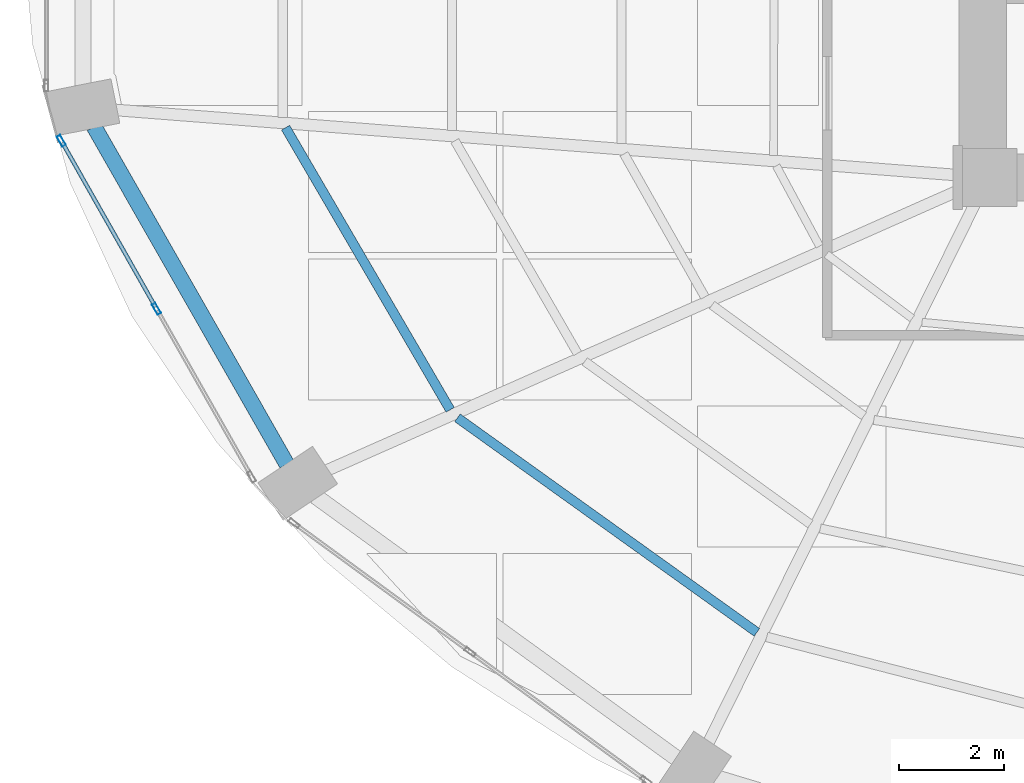
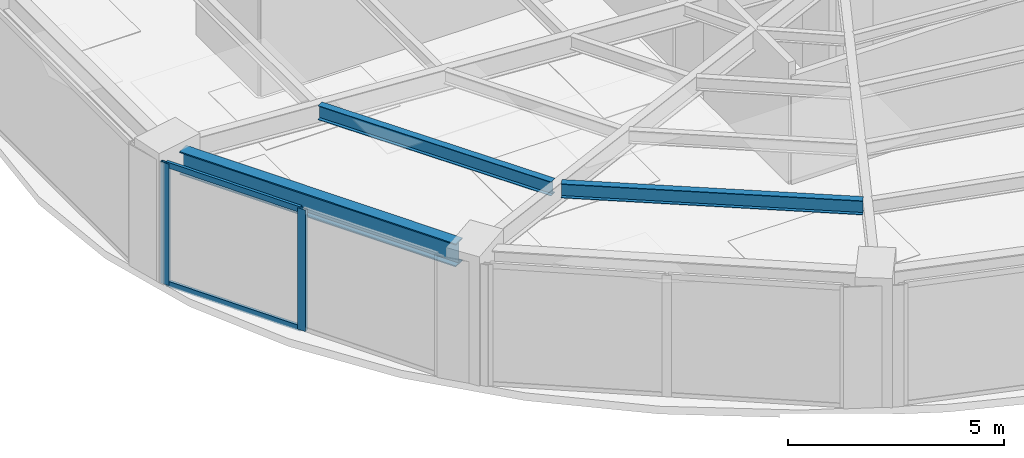
# One storey, part 3 of 24: 4 members, 3 beams, 1 element without a shape of its own.
"""IFC4 building model written with IfcOpenShell, lengths in metres."""

from ifc_helpers import new_model, si_unit, direction, frame, origin, origin_2d, place, context, subcontext, project, spatial, hollow_rectangle, i_section, extrude, material, layer, layer_set, material_profile, profile_set, type_object, element, aggregate, save


model = new_model("IFC4")

# Units and contexts
model_context = context("Model", 3, precision=1e-05, world=origin(), true_north=direction((0.0, 1.0)))
body_context = subcontext(model_context, "Body", "Model", "MODEL_VIEW")
ifc_project = project(units=[si_unit("LENGTHUNIT", "METRE"), si_unit("AREAUNIT", "SQUARE_METRE"), si_unit("VOLUMEUNIT", "CUBIC_METRE"), si_unit("PLANEANGLEUNIT", "RADIAN"), si_unit("MASSUNIT", "GRAM", prefix="KILO")], contexts=[model_context])

# Site, building, storey
site_placement = place(None, origin())
site = spatial("IfcSite", under=ifc_project, at=site_placement, CompositionType="ELEMENT")
building_placement = place(site_placement, origin())
building = spatial("IfcBuilding", under=site, at=building_placement, Name="Lazwardi Medical Tower", CompositionType="ELEMENT")
storey_placement = place(building_placement, frame((0.0, 0.0, 54.384033203125)))
storey = spatial("IfcBuildingStorey", under=building, at=storey_placement, Name="L13", CompositionType="ELEMENT", Elevation=54.384033203125)

# Beams
ifc_material_1 = material(Name="Steel S355", Category="steel")
ifc_material_profile_1 = material_profile(ifc_material_1, i_section(OverallWidth=0.300048828125, OverallDepth=0.64990234375, WebThickness=0.01611328125, FlangeThickness=0.031005859375, at=origin_2d()), Name="HEB 650")
ifc_profile_set_1 = profile_set([ifc_material_profile_1], Name="Steel S355")
beam_type_1 = type_object("IfcBeamType", Name="BM-RB-Z1", PredefinedType="BEAM", material=ifc_profile_set_1)
beam_1_placement = place(storey_placement, frame((9.408203125, 21.36767578125, 3.10302734375), z_axis=(0.49581512241, -0.868428099724, 0.0), x_axis=(0.868428099724, 0.49581512241, 0.0)))
element("IfcBeam", 1, at=beam_1_placement, inside=storey, type_object=beam_type_1, Name="Ring beam RB-02 B13 L13", PredefinedType="BEAM", context=body_context, shape_type="SweptSolid", body=[
    extrude(i_section(OverallWidth=0.300048828125, OverallDepth=0.64990234375, WebThickness=0.01611328125, FlangeThickness=0.031005859375, at=origin_2d()), origin(), (0.0, 0.0, 1.0), 7.389404296875),
])
ifc_material_profile_2 = material_profile(ifc_material_1, i_section(OverallWidth=0.179931640625, OverallDepth=0.39990234375, WebThickness=0.008544921875, FlangeThickness=0.013427734375, at=origin_2d()), Name="IPE 400")
ifc_profile_set_2 = profile_set([ifc_material_profile_2], Name="Steel S355")
beam_type_2 = type_object("IfcBeamType", Name="BM-SJ-01", PredefinedType="JOIST", material=ifc_profile_set_2)
beam_2_placement = place(storey_placement, frame((13.048828125, 21.34765625, 3.22802734375), z_axis=(0.503846579557, -0.863793160582, 0.0), x_axis=(0.863793160582, 0.503846579557, 0.0)))
element("IfcBeam", 2, at=beam_2_placement, inside=storey, type_object=beam_type_2, Name="Secondary joist SJ-01 R1 B13 L13", PredefinedType="JOIST", context=body_context, shape_type="SweptSolid", body=[
    extrude(i_section(OverallWidth=0.179931640625, OverallDepth=0.39990234375, WebThickness=0.008544921875, FlangeThickness=0.013427734375, at=origin_2d()), origin(), (0.0, 0.0, 1.0), 6.20947265625),
])
beam_3_placement = place(storey_placement, frame((16.31591796875, 15.83203125, 3.22802734375), z_axis=(0.812901036873, -0.582401840872, 0.0), x_axis=(0.582401840872, 0.812901036873, 0.0)))
element("IfcBeam", 3, at=beam_3_placement, inside=storey, type_object=beam_type_2, Name="Secondary joist SJ-01 R1 B14 L13", PredefinedType="JOIST", context=body_context, shape_type="SweptSolid", body=[
    extrude(i_section(OverallWidth=0.179931640625, OverallDepth=0.39990234375, WebThickness=0.008544921875, FlangeThickness=0.013427734375, at=origin_2d()), origin(), (0.0, 0.0, 1.0), 7.002197265625),
])

# Curtain wall, members
ifc_material_2 = material(Name="Anodised bronze aluminium and solar control glazing", Category="aluminium")
ifc_layer = layer(ifc_material_2, 0.199951171875)
ifc_layer_set = layer_set([ifc_layer], Name="Anodised bronze aluminium and solar control glazing")
curtain_wall_type = type_object("IfcCurtainWallType", Name="CW-SYS-02", PredefinedType="NOTDEFINED", material=ifc_layer_set)
curtain_wall_placement = place(storey_placement, origin())
curtain_wall = element("IfcCurtainWall", 4, at=curtain_wall_placement, inside=storey, type_object=curtain_wall_type, Name="L13 Unitised bronze curtain wall CW-02", PredefinedType="NOTDEFINED")
ifc_material_3 = material(Name="Anodised bronze aluminium", Category="aluminium")
ifc_material_profile_3 = material_profile(ifc_material_3, hollow_rectangle(XDim=0.074951171875, YDim=0.219970703125, WallThickness=0.00390625, at=origin_2d()), Name="ALU-MULLION 220x75x4")
ifc_profile_set_3 = profile_set([ifc_material_profile_3], Name="Anodised bronze aluminium")
member_type_1 = type_object("IfcMemberType", Name="CW-MUL-01", PredefinedType="MULLION", material=ifc_profile_set_3)
member_1_placement = place(storey_placement, frame((8.785888671875, 21.09765625, 0.0), z_axis=(0.0, 0.0, 1.0), x_axis=(0.870111838823, 0.492854327303, 0.0)))
member_1 = element("IfcMember", 5, at=member_1_placement, type_object=member_type_1, Name="CW-02 mullion 1", PredefinedType="MULLION", context=body_context, shape_type="SweptSolid", body=[
    extrude(hollow_rectangle(XDim=0.074951171875, YDim=0.219970703125, WallThickness=0.00390625, at=origin_2d()), origin(), (0.0, 0.0, 1.0), 3.427978515625),
])
member_2_placement = place(storey_placement, frame((10.5947265625, 17.904541015625, 0.0), z_axis=(0.0, 0.0, 1.0), x_axis=(0.870111838823, 0.492854327303, 0.0)))
member_2 = element("IfcMember", 6, at=member_2_placement, type_object=member_type_1, Name="CW-02 mullion 2", PredefinedType="MULLION", context=body_context, shape_type="SweptSolid", body=[
    extrude(hollow_rectangle(XDim=0.074951171875, YDim=0.219970703125, WallThickness=0.00390625, at=origin_2d()), origin(), (0.0, 0.0, 1.0), 3.427978515625),
])
ifc_material_profile_4 = material_profile(ifc_material_3, hollow_rectangle(XDim=0.074951171875, YDim=0.159912109375, WallThickness=0.00390625, at=origin_2d()), Name="ALU-TRANSOM 160x75x4")
ifc_profile_set_4 = profile_set([ifc_material_profile_4], Name="Anodised bronze aluminium")
member_type_2 = type_object("IfcMemberType", Name="CW-TRN-01", PredefinedType="USERDEFINED", material=ifc_profile_set_4)
member_3_placement = place(storey_placement, frame((8.804443359375, 21.06494140625, 0.037353515625), z_axis=(0.492880614687, -0.870096948429, 0.0), x_axis=(0.870096948429, 0.492880614687, 0.0)))
member_3 = element("IfcMember", 7, at=member_3_placement, type_object=member_type_2, Name="CW-02 transom 1.1", ObjectType="TRANSOM", PredefinedType="USERDEFINED", context=body_context, shape_type="SweptSolid", body=[
    extrude(hollow_rectangle(XDim=0.074951171875, YDim=0.159912109375, WallThickness=0.00390625, at=origin_2d()), origin(), (0.0, 0.0, 1.0), 3.5947265625),
])
member_4_placement = place(storey_placement, frame((8.804443359375, 21.06494140625, 3.390380859375), z_axis=(0.492880614687, -0.870096948429, 0.0), x_axis=(0.870096948429, 0.492880614687, 0.0)))
member_4 = element("IfcMember", 8, at=member_4_placement, type_object=member_type_2, Name="CW-02 transom 1.2", ObjectType="TRANSOM", PredefinedType="USERDEFINED", context=body_context, shape_type="SweptSolid", body=[
    extrude(hollow_rectangle(XDim=0.074951171875, YDim=0.159912109375, WallThickness=0.00390625, at=origin_2d()), origin(), (0.0, 0.0, 1.0), 3.5947265625),
])
aggregate(curtain_wall, [member_1, member_2, member_3, member_4])

save(model, "model.ifc")
